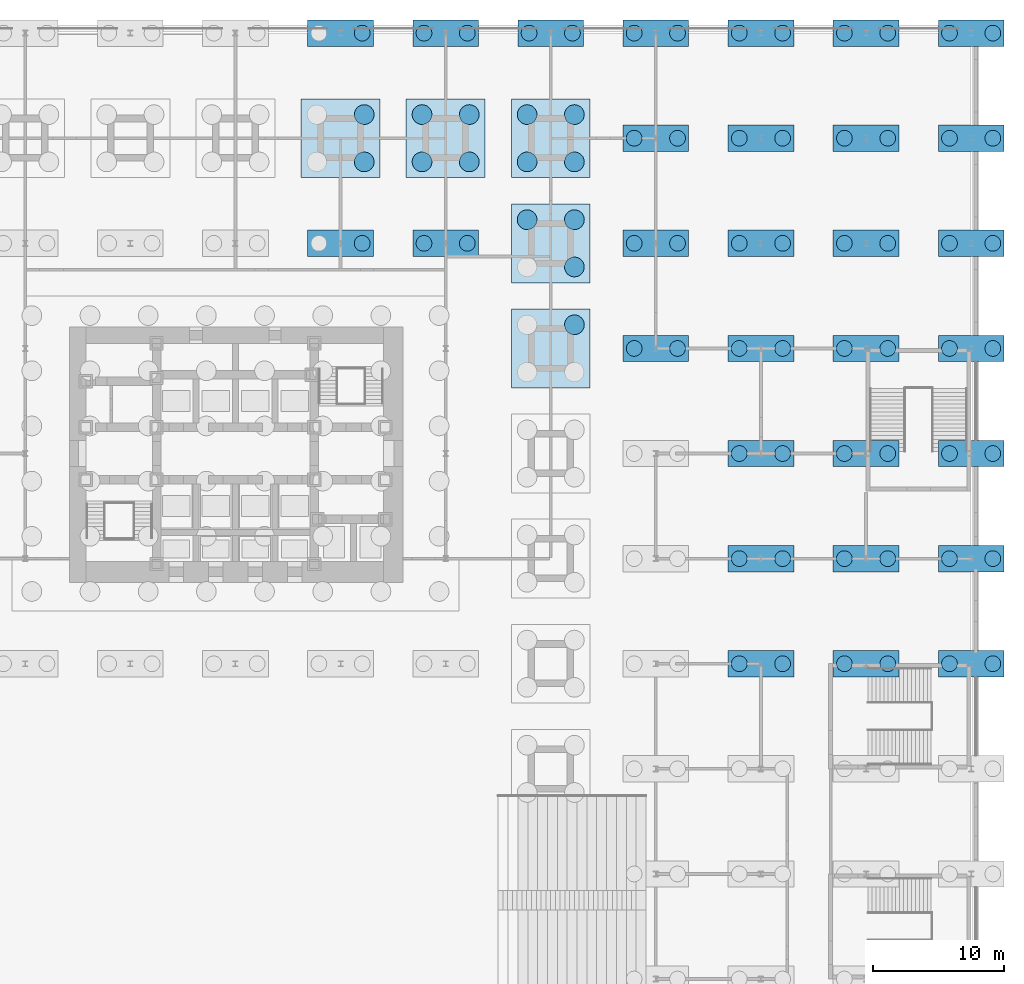
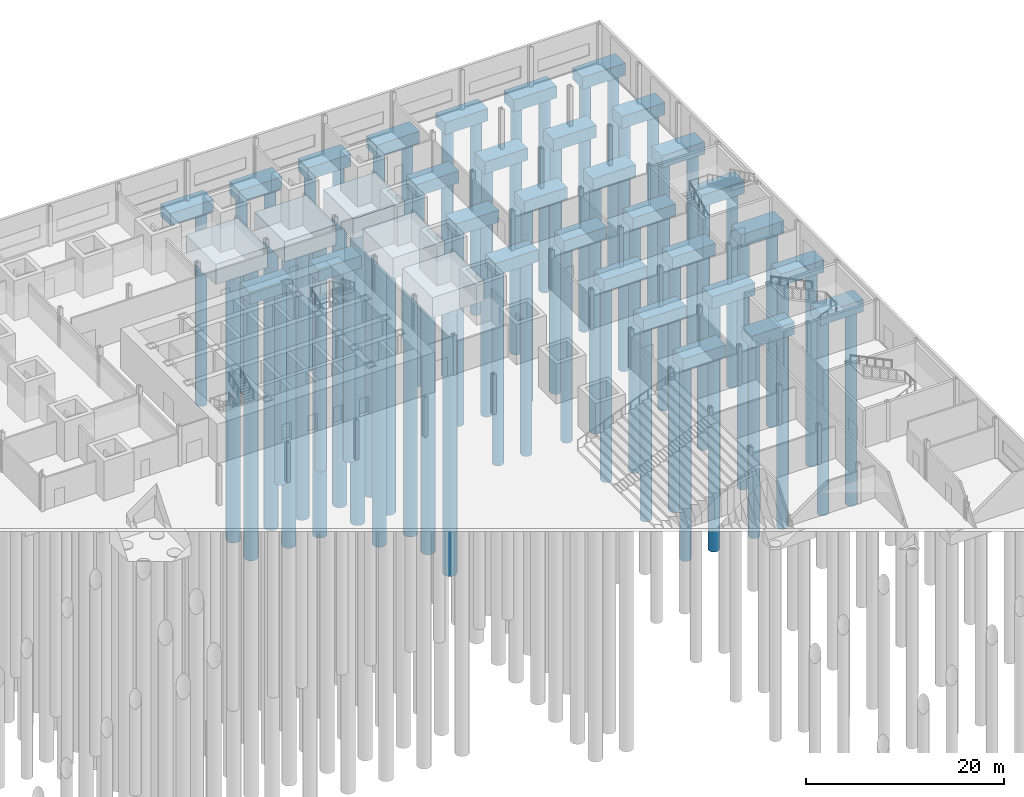
# One storey, part 3 of 24: 72 piles, 35 footings.
"""IFC4 building model written with IfcOpenShell, lengths in metres."""

from ifc_helpers import new_model, si_unit, direction, frame, origin, origin_2d, place, context, subcontext, project, spatial, rectangle, circle, extrude, material, layer, layer_set, type_object, element, save


model = new_model("IFC4")

# Units and contexts
model_context = context("Model", 3, precision=1e-05, world=origin(), true_north=direction((0.0, 1.0)))
body_context = subcontext(model_context, "Body", "Model", "MODEL_VIEW")
ifc_project = project(units=[si_unit("LENGTHUNIT", "METRE"), si_unit("AREAUNIT", "SQUARE_METRE"), si_unit("VOLUMEUNIT", "CUBIC_METRE"), si_unit("PLANEANGLEUNIT", "RADIAN"), si_unit("MASSUNIT", "GRAM", prefix="KILO")], contexts=[model_context])

# Site, building, storey
site_placement = place(None, origin())
site = spatial("IfcSite", under=ifc_project, at=site_placement, CompositionType="ELEMENT")
building_placement = place(site_placement, origin())
building = spatial("IfcBuilding", under=site, at=building_placement, Name="Daluyong Arena Tower", CompositionType="ELEMENT")
storey_placement = place(building_placement, origin())
storey = spatial("IfcBuildingStorey", under=building, at=storey_placement, Name="L00", CompositionType="ELEMENT", Elevation=0.0)

# Piles
ifc_material_1 = material(Name="Concrete fc' 45 MPa", Category="concrete")
pile_type_1 = type_object("IfcPileType", Name="Bored pile D1200", PredefinedType="BORED", material=ifc_material_1)
for number, where, z_axis, x_axis, name in (
    (1, (65.64990234375, 96.0, -1.64990234375), (0.0, 0.0, -1.0), (1.0, 0.0, 0.0), "pile under PC2 at 64,96"),
    (2, (65.64990234375, 112.0, -1.64990234375), (0.0, 0.0, -1.0), (1.0, 0.0, 0.0), "pile under PC2 at 64,112"),
    (3, (70.35009765625, 96.0, -1.64990234375), (0.0, 0.0, -1.0), (1.0, 0.0, 0.0), "pile under PC2 at 72,96"),
    (4, (73.64990234375, 96.0, -1.64990234375), (0.0, 0.0, -1.0), (1.0, 0.0, 0.0), "pile under PC2 at 72,96"),
    (5, (70.35009765625, 112.0, -1.64990234375), (0.0, 0.0, -1.0), (1.0, 0.0, 0.0), "pile under PC2 at 72,112"),
    (6, (73.64990234375, 112.0, -1.64990234375), (0.0, 0.0, -1.0), (1.0, 0.0, 0.0), "pile under PC2 at 72,112"),
    (7, (78.35009765625, 112.0, -1.64990234375), (0.0, 0.0, -1.0), (1.0, 0.0, 0.0), "pile under PC2 at 80,112"),
    (8, (81.64990234375, 112.0, -1.64990234375), (0.0, 0.0, -1.0), (1.0, 0.0, 0.0), "pile under PC2 at 80,112"),
    (9, (86.35009765625, 88.0, -1.64990234375), (0.0, 0.0, -1.0), (1.0, 0.0, 0.0), "pile under PC2 at 88,88"),
    (10, (89.64990234375, 88.0, -1.64990234375), (0.0, 0.0, -1.0), (1.0, 0.0, 0.0), "pile under PC2 at 88,88"),
    (11, (86.35009765625, 96.0, -1.64990234375), (0.0, 0.0, -1.0), (1.0, 0.0, 0.0), "pile under PC2 at 88,96"),
    (12, (89.64990234375, 96.0, -1.64990234375), (0.0, 0.0, -1.0), (1.0, 0.0, 0.0), "pile under PC2 at 88,96"),
    (13, (86.35009765625, 104.0, -1.64990234375), (0.0, 0.0, -1.0), (1.0, 0.0, 0.0), "pile under PC2 at 88,104"),
    (14, (89.64990234375, 104.0, -1.64990234375), (0.0, 0.0, -1.0), (1.0, 0.0, 0.0), "pile under PC2 at 88,104"),
    (15, (86.35009765625, 112.0, -1.64990234375), (0.0, 0.0, -1.0), (1.0, 0.0, 0.0), "pile under PC2 at 88,112"),
    (16, (89.64990234375, 112.0, -1.64990234375), (0.0, 0.0, -1.0), (1.0, 0.0, 0.0), "pile under PC2 at 88,112"),
    (17, (94.35009765625, 64.0, -1.64990234375), (0.0, 0.0, -1.0), (1.0, 0.0, 0.0), "pile under PC2 at 96,64"),
    (18, (97.64990234375, 64.0, -1.64990234375), (0.0, 0.0, -1.0), (1.0, 0.0, 0.0), "pile under PC2 at 96,64"),
    (19, (94.35009765625, 72.0, -1.64990234375), (0.0, 0.0, -1.0), (1.0, 0.0, 0.0), "pile under PC2 at 96,72"),
    (20, (97.64990234375, 72.0, -1.64990234375), (0.0, 0.0, -1.0), (1.0, 0.0, 0.0), "pile under PC2 at 96,72"),
    (21, (94.35009765625, 80.0, -1.64990234375), (0.0, 0.0, -1.0), (1.0, 0.0, 0.0), "pile under PC2 at 96,80"),
    (22, (97.64990234375, 80.0, -1.64990234375), (0.0, 0.0, -1.0), (1.0, 0.0, 0.0), "pile under PC2 at 96,80"),
    (23, (94.35009765625, 88.0, -1.64990234375), (0.0, 0.0, -1.0), (1.0, 0.0, 0.0), "pile under PC2 at 96,88"),
    (24, (97.64990234375, 88.0, -1.64990234375), (0.0, 0.0, -1.0), (1.0, 0.0, 0.0), "pile under PC2 at 96,88"),
    (25, (94.35009765625, 96.0, -1.64990234375), (0.0, 0.0, -1.0), (1.0, 0.0, 0.0), "pile under PC2 at 96,96"),
    (26, (97.64990234375, 96.0, -1.64990234375), (0.0, 0.0, -1.0), (1.0, 0.0, 0.0), "pile under PC2 at 96,96"),
    (27, (94.35009765625, 104.0, -1.64990234375), (0.0, 0.0, -1.0), (1.0, 0.0, 0.0), "pile under PC2 at 96,104"),
    (28, (97.64990234375, 104.0, -1.64990234375), (0.0, 0.0, -1.0), (1.0, 0.0, 0.0), "pile under PC2 at 96,104"),
    (29, (94.35009765625, 112.0, -1.64990234375), (0.0, 0.0, -1.0), (1.0, 0.0, 0.0), "pile under PC2 at 96,112"),
    (30, (97.64990234375, 112.0, -1.64990234375), (0.0, 0.0, -1.0), (1.0, 0.0, 0.0), "pile under PC2 at 96,112"),
    (31, (102.35009765625, 64.0, -1.64990234375), (0.0, 0.0, -1.0), (1.0, 0.0, 0.0), "pile under PC2 at 104,64"),
    (32, (105.64990234375, 64.0, -1.64990234375), (0.0, 0.0, -1.0), (1.0, 0.0, 0.0), "pile under PC2 at 104,64"),
    (33, (102.35009765625, 72.0, -1.64990234375), (0.0, 0.0, -1.0), (1.0, 0.0, 0.0), "pile under PC2 at 104,72"),
    (34, (105.64990234375, 72.0, -1.64990234375), (0.0, 0.0, -1.0), (1.0, 0.0, 0.0), "pile under PC2 at 104,72"),
    (35, (102.35009765625, 80.0, -1.64990234375), (0.0, 0.0, -1.0), (1.0, 0.0, 0.0), "pile under PC2 at 104,80"),
    (36, (105.64990234375, 80.0, -1.64990234375), (0.0, 0.0, -1.0), (1.0, 0.0, 0.0), "pile under PC2 at 104,80"),
    (37, (102.35009765625, 88.0, -1.64990234375), (0.0, 0.0, -1.0), (1.0, 0.0, 0.0), "pile under PC2 at 104,88"),
    (38, (105.64990234375, 88.0, -1.64990234375), (0.0, 0.0, -1.0), (1.0, 0.0, 0.0), "pile under PC2 at 104,88"),
    (39, (102.35009765625, 96.0, -1.64990234375), (0.0, 0.0, -1.0), (1.0, 0.0, 0.0), "pile under PC2 at 104,96"),
    (40, (105.64990234375, 96.0, -1.64990234375), (0.0, 0.0, -1.0), (1.0, 0.0, 0.0), "pile under PC2 at 104,96"),
    (41, (102.35009765625, 104.0, -1.64990234375), (0.0, 0.0, -1.0), (1.0, 0.0, 0.0), "pile under PC2 at 104,104"),
    (42, (105.64990234375, 104.0, -1.64990234375), (0.0, 0.0, -1.0), (1.0, 0.0, 0.0), "pile under PC2 at 104,104"),
    (43, (102.35009765625, 112.0, -1.64990234375), (0.0, 0.0, -1.0), (1.0, 0.0, 0.0), "pile under PC2 at 104,112"),
    (44, (105.64990234375, 112.0, -1.64990234375), (0.0, 0.0, -1.0), (1.0, 0.0, 0.0), "pile under PC2 at 104,112"),
    (45, (110.35009765625, 64.0, -1.64990234375), (0.0, 0.0, -1.0), (1.0, 0.0, 0.0), "pile under PC2 at 112,64"),
    (46, (113.64990234375, 64.0, -1.64990234375), (0.0, 0.0, -1.0), (1.0, 0.0, 0.0), "pile under PC2 at 112,64"),
    (47, (110.35009765625, 72.0, -1.64990234375), (0.0, 0.0, -1.0), (1.0, 0.0, 0.0), "pile under PC2 at 112,72"),
    (48, (113.64990234375, 72.0, -1.64990234375), (0.0, 0.0, -1.0), (1.0, 0.0, 0.0), "pile under PC2 at 112,72"),
    (49, (110.35009765625, 80.0, -1.64990234375), (0.0, 0.0, -1.0), (1.0, 0.0, 0.0), "pile under PC2 at 112,80"),
    (50, (113.64990234375, 80.0, -1.64990234375), (0.0, 0.0, -1.0), (1.0, 0.0, 0.0), "pile under PC2 at 112,80"),
    (51, (110.35009765625, 88.0, -1.64990234375), (0.0, 0.0, -1.0), (1.0, 0.0, 0.0), "pile under PC2 at 112,88"),
    (52, (113.64990234375, 88.0, -1.64990234375), (0.0, 0.0, -1.0), (1.0, 0.0, 0.0), "pile under PC2 at 112,88"),
    (53, (110.35009765625, 96.0, -1.64990234375), (0.0, 0.0, -1.0), (1.0, 0.0, 0.0), "pile under PC2 at 112,96"),
    (54, (113.64990234375, 96.0, -1.64990234375), (0.0, 0.0, -1.0), (1.0, 0.0, 0.0), "pile under PC2 at 112,96"),
    (55, (110.35009765625, 104.0, -1.64990234375), (0.0, 0.0, -1.0), (1.0, 0.0, 0.0), "pile under PC2 at 112,104"),
    (56, (113.64990234375, 104.0, -1.64990234375), (0.0, 0.0, -1.0), (1.0, 0.0, 0.0), "pile under PC2 at 112,104"),
    (57, (110.35009765625, 112.0, -1.64990234375), (0.0, 0.0, -1.0), (1.0, 0.0, 0.0), "pile under PC2 at 112,112"),
    (58, (113.64990234375, 112.0, -1.64990234375), (0.0, 0.0, -1.0), (1.0, 0.0, 0.0), "pile under PC2 at 112,112"),
):
    element("IfcPile", number, at=place(storey_placement, frame(where, z_axis=z_axis, x_axis=x_axis)), inside=storey, type_object=pile_type_1, Name=name, PredefinedType="BORED", context=body_context, shape_type="SweptSolid", body=[
        extrude(circle(Radius=0.60009765625, at=origin_2d()), origin(), (0.0, 0.0, 1.0), 24.0),
    ])
ifc_material_2 = material(Name="Concrete fc' 45 MPa", Category="concrete")
pile_type_2 = type_object("IfcPileType", Name="Bored pile D1500", PredefinedType="BORED", material=ifc_material_2)
for number, where, z_axis, x_axis, name in (
    (59, (65.800048828125, 102.199951171875, -2.64990234375), (0.0, 0.0, -1.0), (1.0, 0.0, 0.0), "pile under PC4 at 64,104"),
    (60, (65.800048828125, 105.800048828125, -2.64990234375), (0.0, 0.0, -1.0), (1.0, 0.0, 0.0), "pile under PC4 at 64,104"),
    (61, (70.199951171875, 102.199951171875, -2.64990234375), (0.0, 0.0, -1.0), (1.0, 0.0, 0.0), "pile under PC4 at 72,104"),
    (62, (73.800048828125, 102.199951171875, -2.64990234375), (0.0, 0.0, -1.0), (1.0, 0.0, 0.0), "pile under PC4 at 72,104"),
    (63, (70.199951171875, 105.800048828125, -2.64990234375), (0.0, 0.0, -1.0), (1.0, 0.0, 0.0), "pile under PC4 at 72,104"),
    (64, (73.800048828125, 105.800048828125, -2.64990234375), (0.0, 0.0, -1.0), (1.0, 0.0, 0.0), "pile under PC4 at 72,104"),
    (65, (81.800048828125, 89.800048828125, -2.64990234375), (0.0, 0.0, -1.0), (1.0, 0.0, 0.0), "pile under PC4 at 80,88"),
    (66, (81.800048828125, 94.199951171875, -2.64990234375), (0.0, 0.0, -1.0), (1.0, 0.0, 0.0), "pile under PC4 at 80,96"),
    (67, (78.199951171875, 97.800048828125, -2.64990234375), (0.0, 0.0, -1.0), (1.0, 0.0, 0.0), "pile under PC4 at 80,96"),
    (68, (81.800048828125, 97.800048828125, -2.64990234375), (0.0, 0.0, -1.0), (1.0, 0.0, 0.0), "pile under PC4 at 80,96"),
    (69, (78.199951171875, 102.199951171875, -2.64990234375), (0.0, 0.0, -1.0), (1.0, 0.0, 0.0), "pile under PC4 at 80,104"),
    (70, (81.800048828125, 102.199951171875, -2.64990234375), (0.0, 0.0, -1.0), (1.0, 0.0, 0.0), "pile under PC4 at 80,104"),
    (71, (78.199951171875, 105.800048828125, -2.64990234375), (0.0, 0.0, -1.0), (1.0, 0.0, 0.0), "pile under PC4 at 80,104"),
    (72, (81.800048828125, 105.800048828125, -2.64990234375), (0.0, 0.0, -1.0), (1.0, 0.0, 0.0), "pile under PC4 at 80,104"),
):
    element("IfcPile", number, at=place(storey_placement, frame(where, z_axis=z_axis, x_axis=x_axis)), inside=storey, type_object=pile_type_2, Name=name, PredefinedType="BORED", context=body_context, shape_type="SweptSolid", body=[
        extrude(circle(Radius=0.75, at=origin_2d()), origin(), (0.0, 0.0, 1.0), 36.0),
    ])

# Footings
ifc_material_3 = material(Name="Concrete fc' 45 MPa", Category="concrete")
ifc_layer_1 = layer(ifc_material_3, 1.5)
ifc_layer_set_1 = layer_set([ifc_layer_1], Name="Concrete fc' 45 MPa")
footing_type_1 = type_object("IfcFootingType", Name="Pile cap 2-pile 5000", PredefinedType="PILE_CAP", material=ifc_layer_set_1)
for number, where, z_axis, x_axis, name in (
    (73, (64.0, 96.0, -1.75), (0.0, 0.0, 1.0), (1.0, 0.0, 0.0), "pile cap PC2 at 64,96"),
    (74, (64.0, 112.0, -1.75), (0.0, 0.0, 1.0), (1.0, 0.0, 0.0), "pile cap PC2 at 64,112"),
    (75, (72.0, 96.0, -1.75), (0.0, 0.0, 1.0), (1.0, 0.0, 0.0), "pile cap PC2 at 72,96"),
    (76, (72.0, 112.0, -1.75), (0.0, 0.0, 1.0), (1.0, 0.0, 0.0), "pile cap PC2 at 72,112"),
    (77, (80.0, 112.0, -1.75), (0.0, 0.0, 1.0), (1.0, 0.0, 0.0), "pile cap PC2 at 80,112"),
    (78, (88.0, 88.0, -1.75), (0.0, 0.0, 1.0), (1.0, 0.0, 0.0), "pile cap PC2 at 88,88"),
    (79, (88.0, 96.0, -1.75), (0.0, 0.0, 1.0), (1.0, 0.0, 0.0), "pile cap PC2 at 88,96"),
    (80, (88.0, 104.0, -1.75), (0.0, 0.0, 1.0), (1.0, 0.0, 0.0), "pile cap PC2 at 88,104"),
    (81, (88.0, 112.0, -1.75), (0.0, 0.0, 1.0), (1.0, 0.0, 0.0), "pile cap PC2 at 88,112"),
    (82, (96.0, 64.0, -1.75), (0.0, 0.0, 1.0), (1.0, 0.0, 0.0), "pile cap PC2 at 96,64"),
    (83, (96.0, 72.0, -1.75), (0.0, 0.0, 1.0), (1.0, 0.0, 0.0), "pile cap PC2 at 96,72"),
    (84, (96.0, 80.0, -1.75), (0.0, 0.0, 1.0), (1.0, 0.0, 0.0), "pile cap PC2 at 96,80"),
    (85, (96.0, 88.0, -1.75), (0.0, 0.0, 1.0), (1.0, 0.0, 0.0), "pile cap PC2 at 96,88"),
    (86, (96.0, 96.0, -1.75), (0.0, 0.0, 1.0), (1.0, 0.0, 0.0), "pile cap PC2 at 96,96"),
    (87, (96.0, 104.0, -1.75), (0.0, 0.0, 1.0), (1.0, 0.0, 0.0), "pile cap PC2 at 96,104"),
    (88, (96.0, 112.0, -1.75), (0.0, 0.0, 1.0), (1.0, 0.0, 0.0), "pile cap PC2 at 96,112"),
    (89, (104.0, 64.0, -1.75), (0.0, 0.0, 1.0), (1.0, 0.0, 0.0), "pile cap PC2 at 104,64"),
    (90, (104.0, 72.0, -1.75), (0.0, 0.0, 1.0), (1.0, 0.0, 0.0), "pile cap PC2 at 104,72"),
    (91, (104.0, 80.0, -1.75), (0.0, 0.0, 1.0), (1.0, 0.0, 0.0), "pile cap PC2 at 104,80"),
    (92, (104.0, 88.0, -1.75), (0.0, 0.0, 1.0), (1.0, 0.0, 0.0), "pile cap PC2 at 104,88"),
    (93, (104.0, 96.0, -1.75), (0.0, 0.0, 1.0), (1.0, 0.0, 0.0), "pile cap PC2 at 104,96"),
    (94, (104.0, 104.0, -1.75), (0.0, 0.0, 1.0), (1.0, 0.0, 0.0), "pile cap PC2 at 104,104"),
    (95, (104.0, 112.0, -1.75), (0.0, 0.0, 1.0), (1.0, 0.0, 0.0), "pile cap PC2 at 104,112"),
    (96, (112.0, 64.0, -1.75), (0.0, 0.0, 1.0), (1.0, 0.0, 0.0), "pile cap PC2 at 112,64"),
    (97, (112.0, 72.0, -1.75), (0.0, 0.0, 1.0), (1.0, 0.0, 0.0), "pile cap PC2 at 112,72"),
    (98, (112.0, 80.0, -1.75), (0.0, 0.0, 1.0), (1.0, 0.0, 0.0), "pile cap PC2 at 112,80"),
    (99, (112.0, 88.0, -1.75), (0.0, 0.0, 1.0), (1.0, 0.0, 0.0), "pile cap PC2 at 112,88"),
    (100, (112.0, 96.0, -1.75), (0.0, 0.0, 1.0), (1.0, 0.0, 0.0), "pile cap PC2 at 112,96"),
    (101, (112.0, 104.0, -1.75), (0.0, 0.0, 1.0), (1.0, 0.0, 0.0), "pile cap PC2 at 112,104"),
    (102, (112.0, 112.0, -1.75), (0.0, 0.0, 1.0), (1.0, 0.0, 0.0), "pile cap PC2 at 112,112"),
):
    element("IfcFooting", number, at=place(storey_placement, frame(where, z_axis=z_axis, x_axis=x_axis)), inside=storey, type_object=footing_type_1, Name=name, PredefinedType="PILE_CAP", context=body_context, shape_type="SweptSolid", body=[
        extrude(rectangle(XDim=5.0, YDim=2.0, at=origin_2d()), origin(), (0.0, 0.0, 1.0), 1.5),
    ])
ifc_material_4 = material(Name="Concrete fc' 45 MPa", Category="concrete")
ifc_layer_2 = layer(ifc_material_4, 2.5)
ifc_layer_set_2 = layer_set([ifc_layer_2], Name="Concrete fc' 45 MPa")
footing_type_2 = type_object("IfcFootingType", Name="Pile cap 4-pile 6000", PredefinedType="PILE_CAP", material=ifc_layer_set_2)
for number, where, z_axis, x_axis, name in (
    (103, (64.0, 104.0, -2.75), (0.0, 0.0, 1.0), (1.0, 0.0, 0.0), "pile cap PC4 at 64,104"),
    (104, (72.0, 104.0, -2.75), (0.0, 0.0, 1.0), (1.0, 0.0, 0.0), "pile cap PC4 at 72,104"),
    (105, (80.0, 88.0, -2.75), (0.0, 0.0, 1.0), (1.0, 0.0, 0.0), "pile cap PC4 at 80,88"),
    (106, (80.0, 96.0, -2.75), (0.0, 0.0, 1.0), (1.0, 0.0, 0.0), "pile cap PC4 at 80,96"),
    (107, (80.0, 104.0, -2.75), (0.0, 0.0, 1.0), (1.0, 0.0, 0.0), "pile cap PC4 at 80,104"),
):
    element("IfcFooting", number, at=place(storey_placement, frame(where, z_axis=z_axis, x_axis=x_axis)), inside=storey, type_object=footing_type_2, Name=name, PredefinedType="PILE_CAP", context=body_context, shape_type="SweptSolid", body=[
        extrude(rectangle(XDim=6.0, YDim=6.0, at=origin_2d()), origin(), (0.0, 0.0, 1.0), 2.5),
    ])

save(model, "model.ifc")
